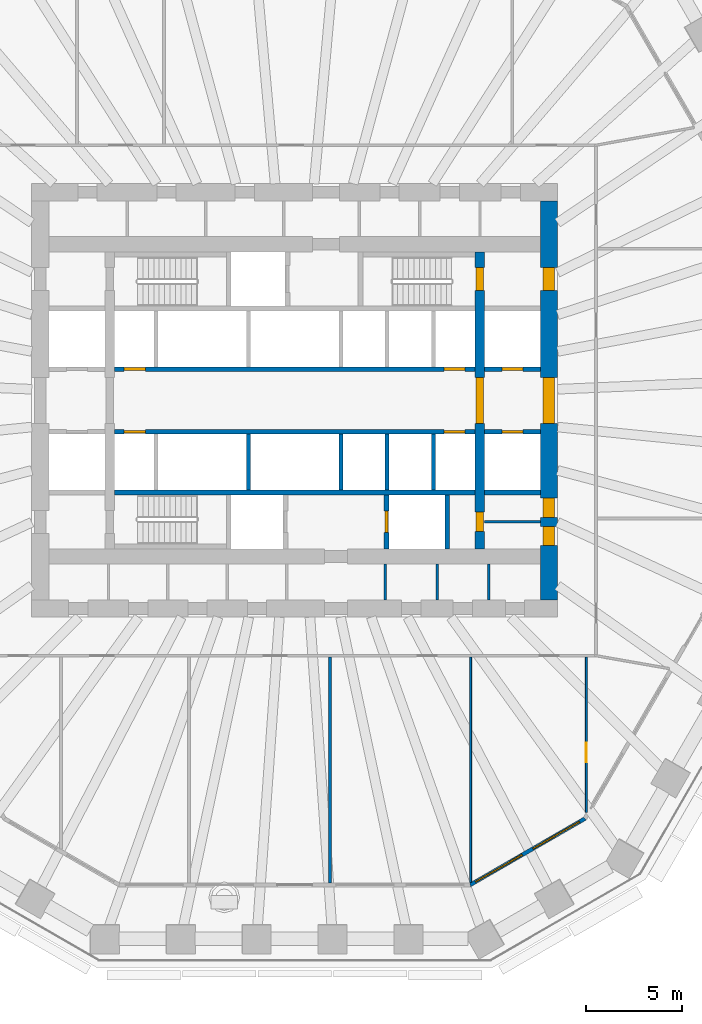
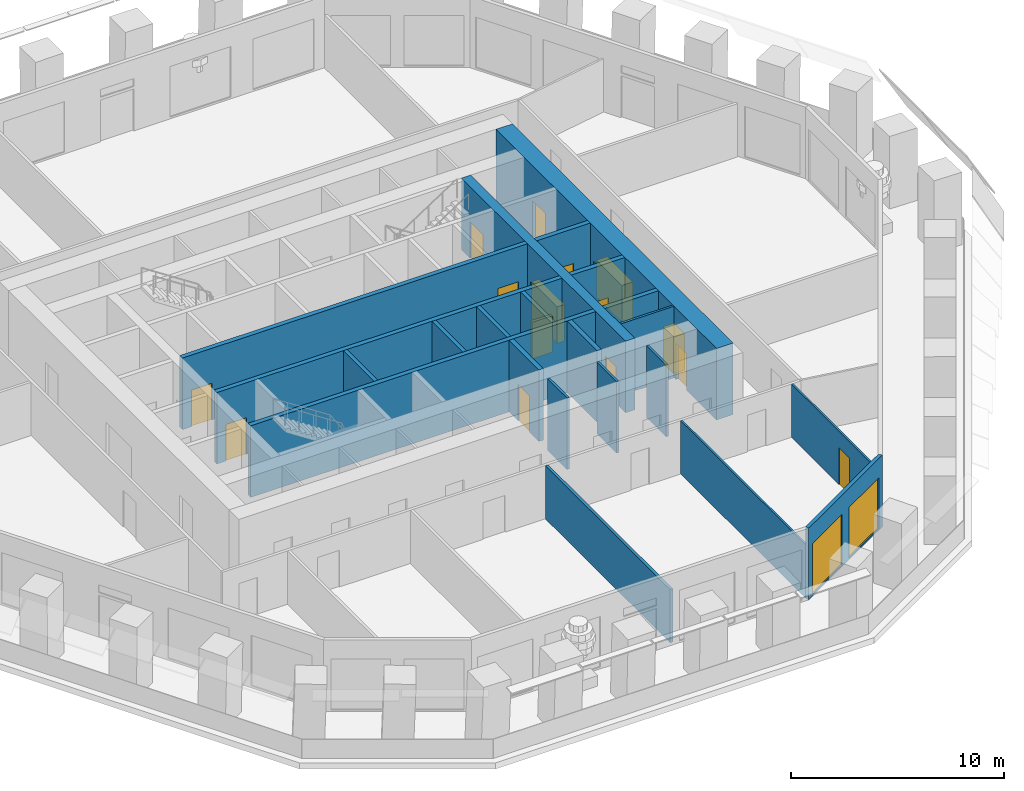
# One storey, part 5 of 12: 22 walls, 15 doors, 2 windows, 17 openings.
"""IFC4 building model written with IfcOpenShell, lengths in metres."""

from ifc_helpers import new_model, si_unit, direction, frame, frame_2d, origin, place, context, subcontext, project, spatial, polyline, rectangle, outline, extrude, material, layer, layer_set, type_object, element, fill, save


model = new_model("IFC4")

# Units and contexts
model_context = context("Model", 3, precision=1e-05, world=origin(), true_north=direction((0.0, 1.0)))
body_context = subcontext(model_context, "Body", "Model", "MODEL_VIEW")
ifc_project = project(units=[si_unit("LENGTHUNIT", "METRE"), si_unit("AREAUNIT", "SQUARE_METRE"), si_unit("VOLUMEUNIT", "CUBIC_METRE"), si_unit("PLANEANGLEUNIT", "RADIAN"), si_unit("MASSUNIT", "GRAM", prefix="KILO")], contexts=[model_context])

# Site, building, storey
site_placement = place(None, origin())
site = spatial("IfcSite", under=ifc_project, at=site_placement, CompositionType="ELEMENT")
building_placement = place(site_placement, origin())
building = spatial("IfcBuilding", under=site, at=building_placement, Name="Frailejon Research Tower", CompositionType="ELEMENT")
storey_placement = place(building_placement, frame((0.0, 0.0, 54.199951171875)))
storey = spatial("IfcBuildingStorey", under=building, at=storey_placement, Name="L12", CompositionType="ELEMENT", Elevation=54.199951171875)

# Walls
ifc_material_1 = material(Name="Plasterboard on steel studs", Category="steel")
ifc_layer_1 = layer(ifc_material_1, 0.125)
ifc_layer_set_1 = layer_set([ifc_layer_1], Name="Core partition 125")
wall_type_1 = type_object("IfcWallType", Name="Core partition 125", PredefinedType="PARTITIONING", material=ifc_layer_set_1)
wall_1_placement = place(storey_placement, frame((9.85009765625, -6.300048828125, 0.0), z_axis=(0.0, 0.0, 1.0), x_axis=(1.0, 0.0, 0.0)))
element("IfcWall", 1, at=wall_1_placement, inside=storey, type_object=wall_type_1, Name="Core partition", PredefinedType="PARTITIONING", context=body_context, shape_type="SweptSolid", body=[
    extrude(rectangle(XDim=2.89990234375, YDim=0.125, at=frame_2d((1.449951171875, 0.0))), origin(), (0.0, 0.0, 1.0), 4.10009765625),
])
for number, where, z_axis, x_axis, name in (
    (2, (4.71240234375, -10.35009765625, 0.0), (0.0, 0.0, 1.0), (0.0, 1.0, 0.0), "Core partition"),
    (3, (7.3916015625, -10.35009765625, 0.0), (0.0, 0.0, 1.0), (0.0, 1.0, 0.0), "Core partition"),
    (4, (10.07080078125, -10.35009765625, 0.0), (0.0, 0.0, 1.0), (0.0, 1.0, 0.0), "Core partition"),
):
    element("IfcWall", number, at=place(storey_placement, frame(where, z_axis=z_axis, x_axis=x_axis)), inside=storey, type_object=wall_type_1, Name=name, PredefinedType="PARTITIONING", context=body_context, shape_type="SweptSolid", body=[
        extrude(rectangle(XDim=1.85009765625, YDim=0.125, at=frame_2d((0.925048828125, 0.0))), origin(), (0.0, 0.0, 1.0), 4.10009765625),
    ])

# Wall, openings, doors
ifc_material_2 = material(Name="Concrete C70/85", Category="concrete")
ifc_layer_2 = layer(ifc_material_2, 0.5)
ifc_layer_set_2 = layer_set([ifc_layer_2], Name="Core shear wall 500 C70/85")
wall_type_2 = type_object("IfcWallType", Name="Core shear wall 500 C70/85", PredefinedType="SHEAR", material=ifc_layer_set_2)
wall_2_placement = place(storey_placement, frame((9.60009765625, -7.699951171875, 0.0), z_axis=(0.0, 0.0, 1.0), x_axis=(0.0, 1.0, 0.0)))
wall_2 = element("IfcWall", 5, at=wall_2_placement, inside=storey, type_object=wall_type_2, Name="Core shear wall", PredefinedType="SHEAR", context=body_context, shape_type="SweptSolid", body=[
    extrude(rectangle(XDim=15.39990234375, YDim=0.5, at=frame_2d((7.699951171875, 0.0))), origin(), (0.0, 0.0, 1.0), 4.10009765625),
])
opening_1_placement = place(wall_2_placement, frame((6.5, 0.0, 0.0)))
opening_1 = element("IfcOpeningElement", 6, at=opening_1_placement, cuts=wall_2, Name="Opening D2", PredefinedType="OPENING", context=body_context, shape_type="SweptSolid", body=[
    extrude(rectangle(XDim=2.39990234375, YDim=2.10009765625, at=frame_2d((1.199951171875, 1.050048828125))), frame((0.0, 0.260009765625, 0.0), z_axis=(0.0, -1.0, 0.0), x_axis=(1.0, 0.0, 0.0)), (0.0, 0.0, 1.0), 0.52001953125),
])
opening_2_placement = place(wall_2_placement, frame((13.39990234375, 0.0, 0.0)))
opening_2 = element("IfcOpeningElement", 7, at=opening_2_placement, cuts=wall_2, Name="Opening D1", PredefinedType="OPENING", context=body_context, shape_type="SweptSolid", body=[
    extrude(rectangle(XDim=1.199951171875, YDim=2.10009765625, at=frame_2d((0.60009765625, 1.050048828125))), frame((0.0, 0.260009765625, 0.0), z_axis=(0.0, -1.0, 0.0), x_axis=(1.0, 0.0, 0.0)), (0.0, 0.0, 1.0), 0.52001953125),
])
opening_3_placement = place(wall_2_placement, frame((0.89990234375, 0.0, 0.0)))
opening_3 = element("IfcOpeningElement", 8, at=opening_3_placement, cuts=wall_2, Name="Opening D4", PredefinedType="OPENING", context=body_context, shape_type="SweptSolid", body=[
    extrude(rectangle(XDim=1.0, YDim=2.10009765625, at=frame_2d((0.5, 1.050048828125))), frame((0.0, 0.260009765625, 0.0), z_axis=(0.0, -1.0, 0.0), x_axis=(1.0, 0.0, 0.0)), (0.0, 0.0, 1.0), 0.52001953125),
])
ifc_material_3 = material(Name="Steel", Category="steel")
door_type_1 = type_object("IfcDoorType", Name="Lobby double door", OperationType="DOUBLE_DOOR_SINGLE_SWING", PredefinedType="DOOR", material=ifc_material_3)
door_1_placement = place(opening_1_placement, origin())
door_1 = element("IfcDoor", 9, at=door_1_placement, inside=storey, type_object=door_type_1, Name="Lobby door", OperationType="DOUBLE_DOOR_SINGLE_SWING", OverallHeight=2.10009765625, OverallWidth=2.39990234375, PredefinedType="DOOR", context=body_context, shape_type="SweptSolid", body=[
    extrude(rectangle(XDim=2.39990234375, YDim=2.10009765625, at=frame_2d((1.199951171875, 1.050048828125))), frame((0.0, 0.199951171875, 0.0), z_axis=(0.0, -1.0, 0.0), x_axis=(1.0, 0.0, 0.0)), (0.0, 0.0, 1.0), 0.39990234375),
])
fill(opening_1, door_1)
ifc_material_4 = material(Name="Steel", Category="steel")
door_type_2 = type_object("IfcDoorType", Name="Service door", OperationType="SINGLE_SWING_LEFT", PredefinedType="DOOR", material=ifc_material_4)
door_2_placement = place(opening_3_placement, origin())
door_2 = element("IfcDoor", 10, at=door_2_placement, inside=storey, type_object=door_type_2, Name="Riser door", OperationType="SINGLE_SWING_LEFT", OverallHeight=2.10009765625, OverallWidth=1.0, PredefinedType="DOOR", context=body_context, shape_type="SweptSolid", body=[
    extrude(rectangle(XDim=1.0, YDim=2.10009765625, at=frame_2d((0.5, 1.050048828125))), frame((0.0, 0.199951171875, 0.0), z_axis=(0.0, -1.0, 0.0), x_axis=(1.0, 0.0, 0.0)), (0.0, 0.0, 1.0), 0.39990234375),
])
fill(opening_3, door_2)
ifc_material_5 = material(Name="Steel", Category="steel")
door_type_3 = type_object("IfcDoorType", Name="Stair door", OperationType="SINGLE_SWING_LEFT", PredefinedType="DOOR", material=ifc_material_5)
door_3_placement = place(opening_2_placement, origin())
door_3 = element("IfcDoor", 11, at=door_3_placement, inside=storey, type_object=door_type_3, Name="Stair door ST3", OperationType="SINGLE_SWING_LEFT", OverallHeight=2.10009765625, OverallWidth=1.199951171875, PredefinedType="DOOR", context=body_context, shape_type="SweptSolid", body=[
    extrude(rectangle(XDim=1.199951171875, YDim=2.10009765625, at=frame_2d((0.60009765625, 1.050048828125))), frame((0.0, 0.199951171875, 0.0), z_axis=(0.0, -1.0, 0.0), x_axis=(1.0, 0.0, 0.0)), (0.0, 0.0, 1.0), 0.39990234375),
])
fill(opening_2, door_3)

ifc_material_6 = material(Name="Concrete C70/85", Category="concrete")
ifc_layer_3 = layer(ifc_material_6, 0.89990234375)
ifc_layer_set_3 = layer_set([ifc_layer_3], Name="Core shear wall 900 C70/85")
wall_type_3 = type_object("IfcWallType", Name="Core shear wall 900 C70/85", PredefinedType="SHEAR", material=ifc_layer_set_3)
wall_3_placement = place(storey_placement, frame((13.199951171875, -10.35009765625, 0.0), z_axis=(0.0, 0.0, 1.0), x_axis=(0.0, 1.0, 0.0)))
wall_3 = element("IfcWall", 12, at=wall_3_placement, inside=storey, type_object=wall_type_3, Name="Core shear wall", PredefinedType="SHEAR", context=body_context, shape_type="SweptSolid", body=[
    extrude(rectangle(XDim=20.7001953125, YDim=0.89990234375, at=frame_2d((10.35009765625, 0.0))), origin(), (0.0, 0.0, 1.0), 4.10009765625),
])
opening_4_placement = place(wall_3_placement, frame((9.14990234375, 0.0, 0.0)))
opening_4 = element("IfcOpeningElement", 13, at=opening_4_placement, cuts=wall_3, Name="Opening D2", PredefinedType="OPENING", context=body_context, shape_type="SweptSolid", body=[
    extrude(rectangle(XDim=2.39990234375, YDim=2.10009765625, at=frame_2d((1.199951171875, 1.050048828125))), frame((0.0, 0.4599609375, 0.0), z_axis=(0.0, -1.0, 0.0), x_axis=(1.0, 0.0, 0.0)), (0.0, 0.0, 1.0), 0.919921875),
])
opening_5_placement = place(wall_3_placement, frame((16.050048828125, 0.0, 0.0)))
opening_5 = element("IfcOpeningElement", 14, at=opening_5_placement, cuts=wall_3, Name="Opening D7", PredefinedType="OPENING", context=body_context, shape_type="SweptSolid", body=[
    extrude(rectangle(XDim=1.199951171875, YDim=2.10009765625, at=frame_2d((0.60009765625, 1.050048828125))), frame((0.0, 0.4599609375, 0.0), z_axis=(0.0, -1.0, 0.0), x_axis=(1.0, 0.0, 0.0)), (0.0, 0.0, 1.0), 0.919921875),
])
opening_6_placement = place(wall_3_placement, frame((2.81884765625, 0.0, 0.0)))
opening_6 = element("IfcOpeningElement", 15, at=opening_6_placement, cuts=wall_3, Name="Opening D4", PredefinedType="OPENING", context=body_context, shape_type="SweptSolid", body=[
    extrude(rectangle(XDim=1.0, YDim=2.10009765625, at=frame_2d((0.5, 1.050048828125))), frame((0.0, 0.4599609375, 0.0), z_axis=(0.0, -1.0, 0.0), x_axis=(1.0, 0.0, 0.0)), (0.0, 0.0, 1.0), 0.919921875),
])
opening_7_placement = place(wall_3_placement, frame((4.28125, 0.0, 0.0)))
opening_7 = element("IfcOpeningElement", 16, at=opening_7_placement, cuts=wall_3, Name="Opening D4", PredefinedType="OPENING", context=body_context, shape_type="SweptSolid", body=[
    extrude(rectangle(XDim=1.0, YDim=2.10009765625, at=frame_2d((0.5, 1.050048828125))), frame((0.0, 0.4599609375, 0.0), z_axis=(0.0, -1.0, 0.0), x_axis=(1.0, 0.0, 0.0)), (0.0, 0.0, 1.0), 0.919921875),
])
door_4_placement = place(opening_4_placement, origin())
door_4 = element("IfcDoor", 17, at=door_4_placement, inside=storey, type_object=door_type_1, Name="Lobby door", OperationType="DOUBLE_DOOR_SINGLE_SWING", OverallHeight=2.10009765625, OverallWidth=2.39990234375, PredefinedType="DOOR", context=body_context, shape_type="SweptSolid", body=[
    extrude(rectangle(XDim=2.39990234375, YDim=2.10009765625, at=frame_2d((1.199951171875, 1.050048828125))), frame((0.0, 0.300048828125, 0.0), z_axis=(0.0, -1.0, 0.0), x_axis=(1.0, 0.0, 0.0)), (0.0, 0.0, 1.0), 0.60009765625),
])
fill(opening_4, door_4)
door_5_placement = place(opening_6_placement, origin())
door_5 = element("IfcDoor", 18, at=door_5_placement, inside=storey, type_object=door_type_2, Name="Store door", OperationType="SINGLE_SWING_RIGHT", OverallHeight=2.10009765625, OverallWidth=1.0, PredefinedType="DOOR", context=body_context, shape_type="SweptSolid", body=[
    extrude(rectangle(XDim=1.0, YDim=2.10009765625, at=frame_2d((0.5, 1.050048828125))), frame((0.0, 0.300048828125, 0.0), z_axis=(0.0, -1.0, 0.0), x_axis=(1.0, 0.0, 0.0)), (0.0, 0.0, 1.0), 0.60009765625),
])
fill(opening_6, door_5)
door_6_placement = place(opening_7_placement, origin())
door_6 = element("IfcDoor", 19, at=door_6_placement, inside=storey, type_object=door_type_2, Name="Store door", OperationType="SINGLE_SWING_LEFT", OverallHeight=2.10009765625, OverallWidth=1.0, PredefinedType="DOOR", context=body_context, shape_type="SweptSolid", body=[
    extrude(rectangle(XDim=1.0, YDim=2.10009765625, at=frame_2d((0.5, 1.050048828125))), frame((0.0, 0.300048828125, 0.0), z_axis=(0.0, -1.0, 0.0), x_axis=(1.0, 0.0, 0.0)), (0.0, 0.0, 1.0), 0.60009765625),
])
fill(opening_7, door_6)
ifc_material_7 = material(Name="Steel", Category="steel")
door_type_4 = type_object("IfcDoorType", Name="Stair exit door", OperationType="SINGLE_SWING_LEFT", PredefinedType="DOOR", material=ifc_material_7)
door_7_placement = place(opening_5_placement, origin())
door_7 = element("IfcDoor", 20, at=door_7_placement, inside=storey, type_object=door_type_4, Name="Stair exit door ST3", OperationType="SINGLE_SWING_RIGHT", OverallHeight=2.10009765625, OverallWidth=1.199951171875, PredefinedType="DOOR", context=body_context, shape_type="SweptSolid", body=[
    extrude(rectangle(XDim=1.199951171875, YDim=2.10009765625, at=frame_2d((0.60009765625, 1.050048828125))), frame((0.0, 0.300048828125, 0.0), z_axis=(0.0, -1.0, 0.0), x_axis=(1.0, 0.0, 0.0)), (0.0, 0.0, 1.0), 0.60009765625),
])
fill(opening_5, door_7)

# Walls
ifc_material_8 = material(Name="Gypsum board and masonry partition", Category="masonry")
ifc_layer_4 = layer(ifc_material_8, 0.14990234375)
ifc_layer_set_4 = layer_set([ifc_layer_4], Name="Laboratory partition, blockwork 150")
wall_type_4 = type_object("IfcWallType", Name="Laboratory partition, blockwork 150", PredefinedType="PARTITIONING", material=ifc_layer_set_4)
wall_4_placement = place(storey_placement, frame((1.82763671875, -25.04443359375, 0.0), z_axis=(0.0, 0.0, 1.0), x_axis=(0.0, 1.0, 0.0)))
element("IfcWall", 21, at=wall_4_placement, inside=storey, type_object=wall_type_4, Name="T:IW:L12:015", PredefinedType="PARTITIONING", context=body_context, shape_type="SweptSolid", body=[
    extrude(rectangle(XDim=11.719482421875, YDim=0.14990234375, at=frame_2d((5.85986328125, 0.0))), origin(), (0.0, 0.0, 1.0), 3.050048828125),
])
ifc_material_9 = material(Name="Gypsum board and masonry partition", Category="masonry")
ifc_layer_5 = layer(ifc_material_9, 0.10009765625)
ifc_layer_set_5 = layer_set([ifc_layer_5], Name="Partition, gypsum on steel studs 100")
wall_type_5 = type_object("IfcWallType", Name="Partition, gypsum on steel studs 100", PredefinedType="PARTITIONING", material=ifc_layer_set_5)
wall_5_placement = place(storey_placement, frame((9.137939453125, -25.013427734375, 0.0), z_axis=(0.0, 0.0, 1.0), x_axis=(0.0, 1.0, 0.0)))
element("IfcWall", 22, at=wall_5_placement, inside=storey, type_object=wall_type_5, Name="T:IW:L12:018", PredefinedType="PARTITIONING", context=body_context, shape_type="SweptSolid", body=[
    extrude(rectangle(XDim=11.6884765625, YDim=0.10009765625, at=frame_2d((5.84423828125, 0.0))), origin(), (0.0, 0.0, 1.0), 3.050048828125),
])

# Wall, opening, door
wall_6_placement = place(storey_placement, frame((15.137939453125, -21.38037109375, 0.0), z_axis=(0.0, 0.0, 1.0), x_axis=(0.0, 1.0, 0.0)))
wall_6 = element("IfcWall", 23, at=wall_6_placement, inside=storey, type_object=wall_type_5, Name="T:IW:L12:019", PredefinedType="PARTITIONING", context=body_context, shape_type="SweptSolid", body=[
    extrude(rectangle(XDim=8.055419921875, YDim=0.10009765625, at=frame_2d((4.02783203125, 0.0))), origin(), (0.0, 0.0, 1.0), 3.050048828125),
])
opening_8_placement = place(wall_6_placement, frame((2.6005859375, 0.0, 0.0)))
opening_8 = element("IfcOpeningElement", 24, at=opening_8_placement, cuts=wall_6, Name="Opening D1433", PredefinedType="OPENING", context=body_context, shape_type="SweptSolid", body=[
    extrude(rectangle(XDim=1.0, YDim=2.10009765625, at=frame_2d((0.5, 1.050048828125))), frame((0.0, 0.06005859375, 0.0), z_axis=(0.0, -1.0, 0.0), x_axis=(1.0, 0.0, 0.0)), (0.0, 0.0, 1.0), 0.1201171875),
])
ifc_material_10 = material(Name="Timber door leaf", Category="wood")
door_type_5 = type_object("IfcDoorType", Name="Door single leaf, timber, steel frame 1000", OperationType="NOTDEFINED", PredefinedType="DOOR", material=ifc_material_10)
door_8_placement = place(opening_8_placement, origin())
door_8 = element("IfcDoor", 25, at=door_8_placement, inside=storey, type_object=door_type_5, Name="D1433", OperationType="SINGLE_SWING_RIGHT", OverallHeight=2.10009765625, OverallWidth=1.0, PredefinedType="DOOR", context=body_context, shape_type="SweptSolid", body=[
    extrude(rectangle(XDim=1.0, YDim=2.10009765625, at=frame_2d((0.5, 1.050048828125))), frame((0.0, 0.02490234375, 0.0), z_axis=(0.0, -1.0, 0.0), x_axis=(1.0, 0.0, 0.0)), (0.0, 0.0, 1.0), 0.050048828125),
])
fill(opening_8, door_8)

# Walls
ifc_material_11 = material(Name="Concrete C70/85", Category="concrete")
ifc_layer_6 = layer(ifc_material_11, 0.199951171875)
ifc_layer_set_6 = layer_set([ifc_layer_6], Name="Shaft wall 200 C70/85")
wall_type_6 = type_object("IfcWallType", Name="Shaft wall 200 C70/85", PredefinedType="SOLIDWALL", material=ifc_layer_set_6)
for number, where, z_axis, x_axis, name in (
    (26, (-2.39990234375, -4.64990234375, 0.0), (0.0, 0.0, 1.0), (0.0, 1.0, 0.0), "Shaft wall"),
    (27, (2.39990234375, -4.64990234375, 0.0), (0.0, 0.0, 1.0), (0.0, 1.0, 0.0), "Shaft wall"),
    (28, (4.800048828125, -4.64990234375, 0.0), (0.0, 0.0, 1.0), (0.0, 1.0, 0.0), "Shaft wall"),
    (29, (7.199951171875, -4.64990234375, 0.0), (0.0, 0.0, 1.0), (0.0, 1.0, 0.0), "Shaft wall"),
):
    element("IfcWall", number, at=place(storey_placement, frame(where, z_axis=z_axis, x_axis=x_axis)), inside=storey, type_object=wall_type_6, Name=name, PredefinedType="SOLIDWALL", context=body_context, shape_type="SweptSolid", body=[
        extrude(rectangle(XDim=2.89990234375, YDim=0.199951171875, at=frame_2d((1.449951171875, 0.0))), origin(), (0.0, 0.0, 1.0), 4.10009765625),
    ])

# Wall, openings, doors
ifc_material_12 = material(Name="Concrete C70/85", Category="concrete")
ifc_layer_7 = layer(ifc_material_12, 0.25)
ifc_layer_set_7 = layer_set([ifc_layer_7], Name="Shaft wall 250 C70/85")
wall_type_7 = type_object("IfcWallType", Name="Shaft wall 250 C70/85", PredefinedType="SOLIDWALL", material=ifc_layer_set_7)
wall_7_placement = place(storey_placement, frame((-9.35009765625, 1.625, 0.0), z_axis=(0.0, 0.0, 1.0), x_axis=(1.0, 0.0, 0.0)))
wall_7 = element("IfcWall", 30, at=wall_7_placement, inside=storey, type_object=wall_type_7, Name="Shaft wall", PredefinedType="SOLIDWALL", context=body_context, shape_type="SweptSolid", body=[
    extrude(rectangle(XDim=18.7001953125, YDim=0.25, at=frame_2d((9.35009765625, 0.0))), origin(), (0.0, 0.0, 1.0), 4.10009765625),
])
opening_9_placement = place(wall_7_placement, frame((0.5, 0.0, 0.0)))
opening_9 = element("IfcOpeningElement", 31, at=opening_9_placement, cuts=wall_7, Name="Opening LD", PredefinedType="OPENING", context=body_context, shape_type="SweptSolid", body=[
    extrude(rectangle(XDim=1.10009765625, YDim=2.10009765625, at=frame_2d((0.550048828125, 1.050048828125))), frame((0.0, 0.135009765625, 0.0), z_axis=(0.0, -1.0, 0.0), x_axis=(1.0, 0.0, 0.0)), (0.0, 0.0, 1.0), 0.27001953125),
])
opening_10_placement = place(wall_7_placement, frame((17.10009765625, 0.0, 0.0)))
opening_10 = element("IfcOpeningElement", 32, at=opening_10_placement, cuts=wall_7, Name="Opening LD", PredefinedType="OPENING", context=body_context, shape_type="SweptSolid", body=[
    extrude(rectangle(XDim=1.10009765625, YDim=2.10009765625, at=frame_2d((0.550048828125, 1.050048828125))), frame((0.0, 0.135009765625, 0.0), z_axis=(0.0, -1.0, 0.0), x_axis=(1.0, 0.0, 0.0)), (0.0, 0.0, 1.0), 0.27001953125),
])
ifc_material_13 = material(Name="Steel", Category="steel")
door_type_6 = type_object("IfcDoorType", Name="Lift landing door", OperationType="DOUBLE_DOOR_SLIDING", PredefinedType="DOOR", material=ifc_material_13)
door_9_placement = place(opening_9_placement, origin())
door_9 = element("IfcDoor", 33, at=door_9_placement, inside=storey, type_object=door_type_6, Name="Lift landing door", OperationType="DOUBLE_DOOR_SLIDING", OverallHeight=2.10009765625, OverallWidth=1.10009765625, PredefinedType="DOOR", context=body_context, shape_type="SweptSolid", body=[
    extrude(rectangle(XDim=1.10009765625, YDim=2.10009765625, at=frame_2d((0.550048828125, 1.050048828125))), frame((0.0, 0.074951171875, 0.0), z_axis=(0.0, -1.0, 0.0), x_axis=(1.0, 0.0, 0.0)), (0.0, 0.0, 1.0), 0.14990234375),
])
fill(opening_9, door_9)
door_10_placement = place(opening_10_placement, origin())
door_10 = element("IfcDoor", 34, at=door_10_placement, inside=storey, type_object=door_type_6, Name="Lift landing door", OperationType="DOUBLE_DOOR_SLIDING", OverallHeight=2.10009765625, OverallWidth=1.10009765625, PredefinedType="DOOR", context=body_context, shape_type="SweptSolid", body=[
    extrude(rectangle(XDim=1.10009765625, YDim=2.10009765625, at=frame_2d((0.550048828125, 1.050048828125))), frame((0.0, 0.074951171875, 0.0), z_axis=(0.0, -1.0, 0.0), x_axis=(1.0, 0.0, 0.0)), (0.0, 0.0, 1.0), 0.14990234375),
])
fill(opening_10, door_10)

# Wall, opening, door
wall_8_placement = place(storey_placement, frame((9.85009765625, 1.625, 0.0), z_axis=(0.0, 0.0, 1.0), x_axis=(1.0, 0.0, 0.0)))
wall_8 = element("IfcWall", 35, at=wall_8_placement, inside=storey, type_object=wall_type_7, Name="Shaft wall", PredefinedType="SOLIDWALL", context=body_context, shape_type="SweptSolid", body=[
    extrude(rectangle(XDim=2.89990234375, YDim=0.25, at=frame_2d((1.449951171875, 0.0))), origin(), (0.0, 0.0, 1.0), 4.10009765625),
])
opening_11_placement = place(wall_8_placement, frame((0.89990234375, 0.0, 0.0)))
opening_11 = element("IfcOpeningElement", 36, at=opening_11_placement, cuts=wall_8, Name="Opening LD", PredefinedType="OPENING", context=body_context, shape_type="SweptSolid", body=[
    extrude(rectangle(XDim=1.10009765625, YDim=2.10009765625, at=frame_2d((0.550048828125, 1.050048828125))), frame((0.0, 0.135009765625, 0.0), z_axis=(0.0, -1.0, 0.0), x_axis=(1.0, 0.0, 0.0)), (0.0, 0.0, 1.0), 0.27001953125),
])
door_11_placement = place(opening_11_placement, origin())
door_11 = element("IfcDoor", 37, at=door_11_placement, inside=storey, type_object=door_type_6, Name="Lift landing door", OperationType="DOUBLE_DOOR_SLIDING", OverallHeight=2.10009765625, OverallWidth=1.10009765625, PredefinedType="DOOR", context=body_context, shape_type="SweptSolid", body=[
    extrude(rectangle(XDim=1.10009765625, YDim=2.10009765625, at=frame_2d((0.550048828125, 1.050048828125))), frame((0.0, 0.074951171875, 0.0), z_axis=(0.0, -1.0, 0.0), x_axis=(1.0, 0.0, 0.0)), (0.0, 0.0, 1.0), 0.14990234375),
])
fill(opening_11, door_11)

# Wall, openings, doors
wall_9_placement = place(storey_placement, frame((-9.35009765625, -1.625, 0.0), z_axis=(0.0, 0.0, 1.0), x_axis=(1.0, 0.0, 0.0)))
wall_9 = element("IfcWall", 38, at=wall_9_placement, inside=storey, type_object=wall_type_7, Name="Shaft wall", PredefinedType="SOLIDWALL", context=body_context, shape_type="SweptSolid", body=[
    extrude(rectangle(XDim=18.7001953125, YDim=0.25, at=frame_2d((9.35009765625, 0.0))), origin(), (0.0, 0.0, 1.0), 4.10009765625),
])
opening_12_placement = place(wall_9_placement, frame((0.5, 0.0, 0.0)))
opening_12 = element("IfcOpeningElement", 39, at=opening_12_placement, cuts=wall_9, Name="Opening LD", PredefinedType="OPENING", context=body_context, shape_type="SweptSolid", body=[
    extrude(rectangle(XDim=1.10009765625, YDim=2.10009765625, at=frame_2d((0.550048828125, 1.050048828125))), frame((0.0, 0.135009765625, 0.0), z_axis=(0.0, -1.0, 0.0), x_axis=(1.0, 0.0, 0.0)), (0.0, 0.0, 1.0), 0.27001953125),
])
opening_13_placement = place(wall_9_placement, frame((17.10009765625, 0.0, 0.0)))
opening_13 = element("IfcOpeningElement", 40, at=opening_13_placement, cuts=wall_9, Name="Opening LD", PredefinedType="OPENING", context=body_context, shape_type="SweptSolid", body=[
    extrude(rectangle(XDim=1.10009765625, YDim=2.10009765625, at=frame_2d((0.550048828125, 1.050048828125))), frame((0.0, 0.135009765625, 0.0), z_axis=(0.0, -1.0, 0.0), x_axis=(1.0, 0.0, 0.0)), (0.0, 0.0, 1.0), 0.27001953125),
])
door_12_placement = place(opening_12_placement, origin())
door_12 = element("IfcDoor", 41, at=door_12_placement, inside=storey, type_object=door_type_6, Name="Lift landing door", OperationType="DOUBLE_DOOR_SLIDING", OverallHeight=2.10009765625, OverallWidth=1.10009765625, PredefinedType="DOOR", context=body_context, shape_type="SweptSolid", body=[
    extrude(rectangle(XDim=1.10009765625, YDim=2.10009765625, at=frame_2d((0.550048828125, 1.050048828125))), frame((0.0, 0.074951171875, 0.0), z_axis=(0.0, -1.0, 0.0), x_axis=(1.0, 0.0, 0.0)), (0.0, 0.0, 1.0), 0.14990234375),
])
fill(opening_12, door_12)
door_13_placement = place(opening_13_placement, origin())
door_13 = element("IfcDoor", 42, at=door_13_placement, inside=storey, type_object=door_type_6, Name="Lift landing door", OperationType="DOUBLE_DOOR_SLIDING", OverallHeight=2.10009765625, OverallWidth=1.10009765625, PredefinedType="DOOR", context=body_context, shape_type="SweptSolid", body=[
    extrude(rectangle(XDim=1.10009765625, YDim=2.10009765625, at=frame_2d((0.550048828125, 1.050048828125))), frame((0.0, 0.074951171875, 0.0), z_axis=(0.0, -1.0, 0.0), x_axis=(1.0, 0.0, 0.0)), (0.0, 0.0, 1.0), 0.14990234375),
])
fill(opening_13, door_13)

# Wall, opening, door
wall_10_placement = place(storey_placement, frame((9.85009765625, -1.625, 0.0), z_axis=(0.0, 0.0, 1.0), x_axis=(1.0, 0.0, 0.0)))
wall_10 = element("IfcWall", 43, at=wall_10_placement, inside=storey, type_object=wall_type_7, Name="Shaft wall", PredefinedType="SOLIDWALL", context=body_context, shape_type="SweptSolid", body=[
    extrude(rectangle(XDim=2.89990234375, YDim=0.25, at=frame_2d((1.449951171875, 0.0))), origin(), (0.0, 0.0, 1.0), 4.10009765625),
])
opening_14_placement = place(wall_10_placement, frame((0.89990234375, 0.0, 0.0)))
opening_14 = element("IfcOpeningElement", 44, at=opening_14_placement, cuts=wall_10, Name="Opening LD", PredefinedType="OPENING", context=body_context, shape_type="SweptSolid", body=[
    extrude(rectangle(XDim=1.10009765625, YDim=2.10009765625, at=frame_2d((0.550048828125, 1.050048828125))), frame((0.0, 0.135009765625, 0.0), z_axis=(0.0, -1.0, 0.0), x_axis=(1.0, 0.0, 0.0)), (0.0, 0.0, 1.0), 0.27001953125),
])
door_14_placement = place(opening_14_placement, origin())
door_14 = element("IfcDoor", 45, at=door_14_placement, inside=storey, type_object=door_type_6, Name="Lift landing door", OperationType="DOUBLE_DOOR_SLIDING", OverallHeight=2.10009765625, OverallWidth=1.10009765625, PredefinedType="DOOR", context=body_context, shape_type="SweptSolid", body=[
    extrude(rectangle(XDim=1.10009765625, YDim=2.10009765625, at=frame_2d((0.550048828125, 1.050048828125))), frame((0.0, 0.074951171875, 0.0), z_axis=(0.0, -1.0, 0.0), x_axis=(1.0, 0.0, 0.0)), (0.0, 0.0, 1.0), 0.14990234375),
])
fill(opening_14, door_14)

# Walls
wall_11_placement = place(storey_placement, frame((-9.35009765625, -4.77490234375, 0.0), z_axis=(0.0, 0.0, 1.0), x_axis=(1.0, 0.0, 0.0)))
element("IfcWall", 46, at=wall_11_placement, inside=storey, type_object=wall_type_7, Name="Shaft wall", PredefinedType="SOLIDWALL", context=body_context, shape_type="SweptSolid", body=[
    extrude(rectangle(XDim=18.7001953125, YDim=0.25, at=frame_2d((9.35009765625, 0.0))), origin(), (0.0, 0.0, 1.0), 4.10009765625),
])
wall_12_placement = place(storey_placement, frame((9.85009765625, -4.77490234375, 0.0), z_axis=(0.0, 0.0, 1.0), x_axis=(1.0, 0.0, 0.0)))
element("IfcWall", 47, at=wall_12_placement, inside=storey, type_object=wall_type_7, Name="Shaft wall", PredefinedType="SOLIDWALL", context=body_context, shape_type="SweptSolid", body=[
    extrude(rectangle(XDim=2.89990234375, YDim=0.25, at=frame_2d((1.449951171875, 0.0))), origin(), (0.0, 0.0, 1.0), 4.10009765625),
])

# Wall, opening, door
wall_13_placement = place(storey_placement, frame((4.77490234375, -7.699951171875, 0.0), z_axis=(0.0, 0.0, 1.0), x_axis=(0.0, 1.0, 0.0)))
wall_13 = element("IfcWall", 48, at=wall_13_placement, inside=storey, type_object=wall_type_7, Name="Shaft wall", PredefinedType="SOLIDWALL", context=body_context, shape_type="SweptSolid", body=[
    extrude(rectangle(XDim=2.800048828125, YDim=0.25, at=frame_2d((1.39990234375, 0.0))), origin(), (0.0, 0.0, 1.0), 4.10009765625),
])
opening_15_placement = place(wall_13_placement, frame((0.85009765625, 0.0, 0.0)))
opening_15 = element("IfcOpeningElement", 49, at=opening_15_placement, cuts=wall_13, Name="Opening LD", PredefinedType="OPENING", context=body_context, shape_type="SweptSolid", body=[
    extrude(rectangle(XDim=1.10009765625, YDim=2.10009765625, at=frame_2d((0.550048828125, 1.050048828125))), frame((0.0, 0.135009765625, 0.0), z_axis=(0.0, -1.0, 0.0), x_axis=(1.0, 0.0, 0.0)), (0.0, 0.0, 1.0), 0.27001953125),
])
door_15_placement = place(opening_15_placement, origin())
door_15 = element("IfcDoor", 50, at=door_15_placement, inside=storey, type_object=door_type_6, Name="Lift landing door", OperationType="DOUBLE_DOOR_SLIDING", OverallHeight=2.10009765625, OverallWidth=1.10009765625, PredefinedType="DOOR", context=body_context, shape_type="SweptSolid", body=[
    extrude(rectangle(XDim=1.10009765625, YDim=2.10009765625, at=frame_2d((0.550048828125, 1.050048828125))), frame((0.0, 0.074951171875, 0.0), z_axis=(0.0, -1.0, 0.0), x_axis=(1.0, 0.0, 0.0)), (0.0, 0.0, 1.0), 0.14990234375),
])
fill(opening_15, door_15)

# Wall
wall_14_placement = place(storey_placement, frame((7.925048828125, -7.699951171875, 0.0), z_axis=(0.0, 0.0, 1.0), x_axis=(0.0, 1.0, 0.0)))
element("IfcWall", 51, at=wall_14_placement, inside=storey, type_object=wall_type_7, Name="Shaft wall", PredefinedType="SOLIDWALL", context=body_context, shape_type="SweptSolid", body=[
    extrude(rectangle(XDim=2.800048828125, YDim=0.25, at=frame_2d((1.39990234375, 0.0))), origin(), (0.0, 0.0, 1.0), 4.10009765625),
])

# Wall, openings, windows
ifc_material_14 = material(Name="Concrete C40/50 precast window wall panel", Category="concrete")
ifc_layer_8 = layer(ifc_material_14, 0.199951171875)
ifc_layer_set_8 = layer_set([ifc_layer_8], Name="Window wall 200")
wall_type_8 = type_object("IfcWallType", Name="Window wall 200", PredefinedType="SOLIDWALL", material=ifc_layer_set_8)
wall_15_placement = place(storey_placement, frame((9.111083984375, -25.14453125, 0.0), z_axis=(0.0, 0.0, 1.0), x_axis=(0.866029458321, 0.49999297727, 0.0)))
wall_15 = element("IfcWall", 52, at=wall_15_placement, inside=storey, type_object=wall_type_8, Name="Exterior wall L12", PredefinedType="SOLIDWALL", context=body_context, shape_type="SweptSolid", body=[
    extrude(outline(polyline([(-0.02685546875, -0.10009765625), (1.1279296875, -0.10009765625), (2.282470703125, -0.10009765625), (3.437255859375, -0.10009765625), (4.592041015625, -0.10009765625), (5.74658203125, -0.10009765625), (6.9013671875, -0.10009765625), (6.84765625, 0.10009765625), (5.7109375, 0.10009765625), (4.573974609375, 0.10009765625), (3.437255859375, 0.10009765625), (2.300537109375, 0.10009765625), (1.16357421875, 0.10009765625), (0.02685546875, 0.10009765625), (-0.02685546875, -0.10009765625)])), origin(), (0.0, 0.0, 1.0), 4.10009765625),
])
opening_16_placement = place(wall_15_placement, frame((0.318603515625, 0.0, 0.10009765625)))
opening_16 = element("IfcOpeningElement", 53, at=opening_16_placement, cuts=wall_15, Name="Opening W3", PredefinedType="OPENING", context=body_context, shape_type="SweptSolid", body=[
    extrude(rectangle(XDim=2.800048828125, YDim=2.89990234375, at=frame_2d((1.39990234375, 1.449951171875))), frame((0.0, 0.10986328125, 0.0), z_axis=(0.0, -1.0, 0.0), x_axis=(1.0, 0.0, 0.0)), (0.0, 0.0, 1.0), 0.219970703125),
])
opening_17_placement = place(wall_15_placement, frame((3.756103515625, 0.0, 0.10009765625)))
opening_17 = element("IfcOpeningElement", 54, at=opening_17_placement, cuts=wall_15, Name="Opening W3", PredefinedType="OPENING", context=body_context, shape_type="SweptSolid", body=[
    extrude(rectangle(XDim=2.800048828125, YDim=2.89990234375, at=frame_2d((1.39990234375, 1.449951171875))), frame((0.0, 0.10986328125, 0.0), z_axis=(0.0, -1.0, 0.0), x_axis=(1.0, 0.0, 0.0)), (0.0, 0.0, 1.0), 0.219970703125),
])
ifc_material_15 = material(Name="Aluminium framed double glazing", Category="aluminium")
window_type = type_object("IfcWindowType", Name="Window 2800x2900", PartitioningType="SINGLE_PANEL", PredefinedType="WINDOW", material=ifc_material_15)
window_1_placement = place(opening_16_placement, origin())
window_1 = element("IfcWindow", 55, at=window_1_placement, inside=storey, type_object=window_type, Name="Window L12", OverallHeight=2.89990234375, OverallWidth=2.800048828125, PartitioningType="SINGLE_PANEL", PredefinedType="WINDOW", context=body_context, shape_type="SweptSolid", body=[
    extrude(rectangle(XDim=2.800048828125, YDim=2.89990234375, at=frame_2d((1.39990234375, 1.449951171875))), frame((0.0, 0.030029296875, 0.0), z_axis=(0.0, -1.0, 0.0), x_axis=(1.0, 0.0, 0.0)), (0.0, 0.0, 1.0), 0.06005859375),
])
fill(opening_16, window_1)
window_2_placement = place(opening_17_placement, origin())
window_2 = element("IfcWindow", 56, at=window_2_placement, inside=storey, type_object=window_type, Name="Window L12", OverallHeight=2.89990234375, OverallWidth=2.800048828125, PartitioningType="SINGLE_PANEL", PredefinedType="WINDOW", context=body_context, shape_type="SweptSolid", body=[
    extrude(rectangle(XDim=2.800048828125, YDim=2.89990234375, at=frame_2d((1.39990234375, 1.449951171875))), frame((0.0, 0.030029296875, 0.0), z_axis=(0.0, -1.0, 0.0), x_axis=(1.0, 0.0, 0.0)), (0.0, 0.0, 1.0), 0.06005859375),
])
fill(opening_17, window_2)

save(model, "model.ifc")
